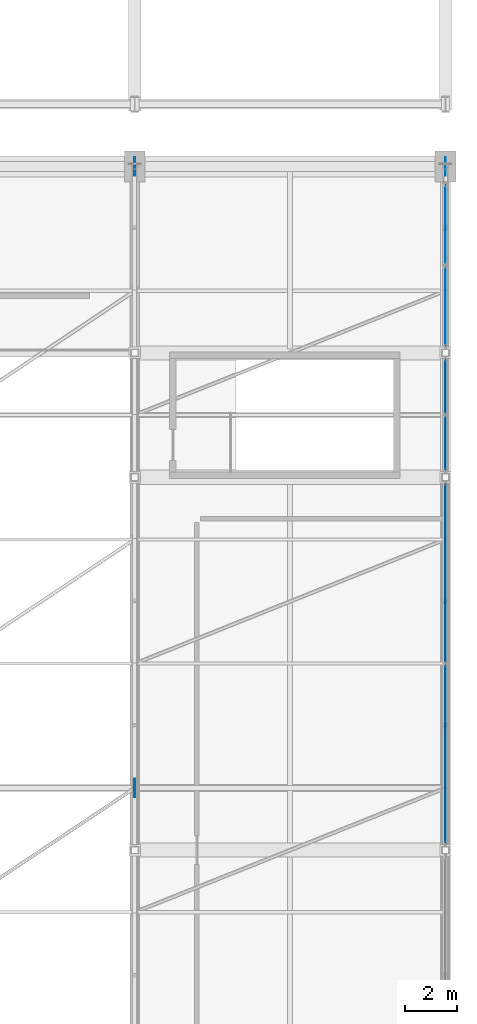
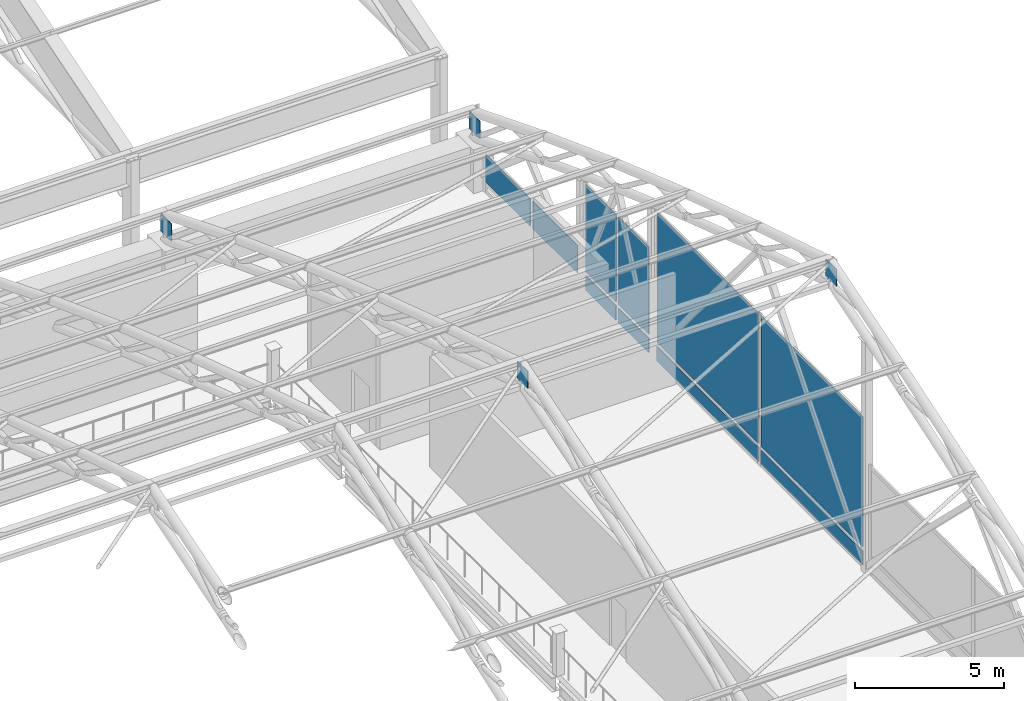
# One storey, part 70 of 116: 14 plates, 3 elements without a shape of their own.
"""IFC4 building model written with IfcOpenShell, lengths in metres."""

from ifc_helpers import new_model, si_unit, direction, frame, origin, origin_2d, place, context, subcontext, project, spatial, rectangle, extrude, material, layer, layer_set, type_object, element, aggregate, save


model = new_model("IFC4")

# Units and contexts
model_context = context("Model", 3, precision=1e-05, world=origin(), true_north=direction((0.0, 1.0)))
body_context = subcontext(model_context, "Body", "Model", "MODEL_VIEW")
ifc_project = project(units=[si_unit("LENGTHUNIT", "METRE"), si_unit("AREAUNIT", "SQUARE_METRE"), si_unit("VOLUMEUNIT", "CUBIC_METRE"), si_unit("PLANEANGLEUNIT", "RADIAN"), si_unit("MASSUNIT", "GRAM", prefix="KILO")], contexts=[model_context])

# Site, building, storey
site_placement = place(None, origin())
site = spatial("IfcSite", under=ifc_project, at=site_placement, CompositionType="ELEMENT")
building_placement = place(site_placement, origin())
building = spatial("IfcBuilding", under=site, at=building_placement, Name="Cendralis Lancet Convention Centre", CompositionType="ELEMENT")
storey_placement = place(building_placement, frame((0.0, 0.0, 15.0)))
storey = spatial("IfcBuildingStorey", under=building, at=storey_placement, Name="L03", CompositionType="ELEMENT", Elevation=15.0)

# Curtain wall, plates
ifc_material_1 = material(Name="Anodised bronze architectural aluminium", Category="aluminium")
curtain_wall_type = type_object("IfcCurtainWallType", Name="ARC-CW-PL02", PredefinedType="USERDEFINED", material=ifc_material_1)
curtain_wall_1_placement = place(storey_placement, origin())
curtain_wall_1 = element("IfcCurtainWall", 1, at=curtain_wall_1_placement, inside=storey, type_object=curtain_wall_type, Name="L03 Curtain Wall CW-PL2 #143", ObjectType="CURTAIN WALL", PredefinedType="USERDEFINED")
ifc_material_2 = material(Name="Double-glazed low-E solar-control glass", Category="glass")
ifc_layer_1 = layer(ifc_material_2, 0.035888671875, Name="Double-glazed low-E solar-control glass")
ifc_layer_set_1 = layer_set([ifc_layer_1], Name="Double-glazed low-E solar-control glass")
plate_type_1 = type_object("IfcPlateType", Name="ARC-PL-GL02", PredefinedType="CURTAIN_PANEL", material=ifc_layer_set_1)
plate_1_placement = place(storey_placement, frame((208.800048828125, 75.5, 0.830078125), z_axis=(0.0, 0.0, 1.0), x_axis=(0.0, -1.0, 0.0)))
plate_1 = element("IfcPlate", 2, at=plate_1_placement, type_object=plate_type_1, Name="Vision Glass Panel CW2-CW-PL2-L03-143-PG0", PredefinedType="CURTAIN_PANEL", context=body_context, shape_type="SweptSolid", body=[
    extrude(rectangle(XDim=6.840087890625, YDim=0.035888671875, at=origin_2d()), origin(), (0.0, 0.0, 1.0), 5.344970703125),
])
plate_2_placement = place(storey_placement, frame((208.800048828125, 68.5, 0.830078125), z_axis=(0.0, 0.0, 1.0), x_axis=(0.0, -1.0, 0.0)))
plate_2 = element("IfcPlate", 3, at=plate_2_placement, type_object=plate_type_1, Name="Vision Glass Panel CW2-CW-PL2-L03-143-PG1", PredefinedType="CURTAIN_PANEL", context=body_context, shape_type="SweptSolid", body=[
    extrude(rectangle(XDim=6.840087890625, YDim=0.035888671875, at=origin_2d()), origin(), (0.0, 0.0, 1.0), 5.344970703125),
])

curtain_wall_2_placement = place(storey_placement, origin())
curtain_wall_2 = element("IfcCurtainWall", 4, at=curtain_wall_2_placement, inside=storey, type_object=curtain_wall_type, Name="L03 Curtain Wall CW-PL2 #144", ObjectType="CURTAIN WALL", PredefinedType="USERDEFINED")
plate_3_placement = place(storey_placement, frame((208.800048828125, 82.699951171875, 0.830078125), z_axis=(0.0, 0.0, 1.0), x_axis=(0.0, -1.0, 0.0)))
plate_3 = element("IfcPlate", 5, at=plate_3_placement, type_object=plate_type_1, Name="Vision Glass Panel CW2-CW-PL2-L03-144-PG0", PredefinedType="CURTAIN_PANEL", context=body_context, shape_type="SweptSolid", body=[
    extrude(rectangle(XDim=2.0400390625, YDim=0.035888671875, at=origin_2d()), origin(), (0.0, 0.0, 1.0), 3.5869140625),
])
plate_4_placement = place(storey_placement, frame((208.800048828125, 80.5, 0.830078125), z_axis=(0.0, 0.0, 1.0), x_axis=(0.0, -1.0, 0.0)))
plate_4 = element("IfcPlate", 6, at=plate_4_placement, type_object=plate_type_1, Name="Vision Glass Panel CW2-CW-PL2-L03-144-PG1", PredefinedType="CURTAIN_PANEL", context=body_context, shape_type="SweptSolid", body=[
    extrude(rectangle(XDim=2.0400390625, YDim=0.035888671875, at=origin_2d()), origin(), (0.0, 0.0, 1.0), 3.5869140625),
])

curtain_wall_3_placement = place(storey_placement, origin())
curtain_wall_3 = element("IfcCurtainWall", 7, at=curtain_wall_3_placement, inside=storey, type_object=curtain_wall_type, Name="L03 Curtain Wall CW-PL2 #145", ObjectType="CURTAIN WALL", PredefinedType="USERDEFINED")
plate_5_placement = place(storey_placement, frame((208.800048828125, 88.96240234375, 0.443115234375), z_axis=(0.0, 0.0, 1.0), x_axis=(0.0, -1.0, 0.0)))
plate_5 = element("IfcPlate", 8, at=plate_5_placement, type_object=plate_type_1, Name="Vision Glass Panel CW2-CW-PL2-L03-145-PG0", PredefinedType="CURTAIN_PANEL", context=body_context, shape_type="SweptSolid", body=[
    extrude(rectangle(XDim=3.014892578125, YDim=0.035888671875, at=origin_2d()), origin(), (0.0, 0.0, 1.0), 1.126953125),
])
plate_6_placement = place(storey_placement, frame((208.800048828125, 85.78759765625, 0.443115234375), z_axis=(0.0, 0.0, 1.0), x_axis=(0.0, -1.0, 0.0)))
plate_6 = element("IfcPlate", 9, at=plate_6_placement, type_object=plate_type_1, Name="Vision Glass Panel CW2-CW-PL2-L03-145-PG1", PredefinedType="CURTAIN_PANEL", context=body_context, shape_type="SweptSolid", body=[
    extrude(rectangle(XDim=3.014892578125, YDim=0.035888671875, at=origin_2d()), origin(), (0.0, 0.0, 1.0), 1.126953125),
])
aggregate(curtain_wall_3, [plate_5, plate_6])

# Plate
ifc_material_3 = material(Name="Insulated ceramic-fritted spandrel glass", Category="glass")
ifc_layer_2 = layer(ifc_material_3, 0.044921875, Name="Insulated ceramic-fritted spandrel glass")
ifc_layer_set_2 = layer_set([ifc_layer_2], Name="Insulated ceramic-fritted spandrel glass")
plate_type_2 = type_object("IfcPlateType", Name="ARC-PL-SP01", PredefinedType="CURTAIN_PANEL", material=ifc_layer_set_2)
plate_7_placement = place(storey_placement, frame((208.800048828125, 75.5, 0.080078125), z_axis=(0.0, 0.0, 1.0), x_axis=(0.0, -1.0, 0.0)))
plate_7 = element("IfcPlate", 10, at=plate_7_placement, type_object=plate_type_2, Name="Spandrel Panel CW2-CW-PL2-L03-143-PS0", PredefinedType="CURTAIN_PANEL", context=body_context, shape_type="SweptSolid", body=[
    extrude(rectangle(XDim=6.840087890625, YDim=0.044921875, at=origin_2d()), origin(), (0.0, 0.0, 1.0), 0.590087890625),
])

plate_8_placement = place(storey_placement, frame((208.800048828125, 68.5, 0.080078125), z_axis=(0.0, 0.0, 1.0), x_axis=(0.0, -1.0, 0.0)))
plate_8 = element("IfcPlate", 11, at=plate_8_placement, type_object=plate_type_2, Name="Spandrel Panel CW2-CW-PL2-L03-143-PS1", PredefinedType="CURTAIN_PANEL", context=body_context, shape_type="SweptSolid", body=[
    extrude(rectangle(XDim=6.840087890625, YDim=0.044921875, at=origin_2d()), origin(), (0.0, 0.0, 1.0), 0.590087890625),
])

aggregate(curtain_wall_1, [plate_7, plate_1, plate_8, plate_2])

plate_9_placement = place(storey_placement, frame((208.800048828125, 82.699951171875, 0.080078125), z_axis=(0.0, 0.0, 1.0), x_axis=(0.0, -1.0, 0.0)))
plate_9 = element("IfcPlate", 12, at=plate_9_placement, type_object=plate_type_2, Name="Spandrel Panel CW2-CW-PL2-L03-144-PS0", PredefinedType="CURTAIN_PANEL", context=body_context, shape_type="SweptSolid", body=[
    extrude(rectangle(XDim=2.0400390625, YDim=0.044921875, at=origin_2d()), origin(), (0.0, 0.0, 1.0), 0.590087890625),
])

plate_10_placement = place(storey_placement, frame((208.800048828125, 80.5, 0.080078125), z_axis=(0.0, 0.0, 1.0), x_axis=(0.0, -1.0, 0.0)))
plate_10 = element("IfcPlate", 13, at=plate_10_placement, type_object=plate_type_2, Name="Spandrel Panel CW2-CW-PL2-L03-144-PS1", PredefinedType="CURTAIN_PANEL", context=body_context, shape_type="SweptSolid", body=[
    extrude(rectangle(XDim=2.0400390625, YDim=0.044921875, at=origin_2d()), origin(), (0.0, 0.0, 1.0), 0.590087890625),
])

aggregate(curtain_wall_2, [plate_9, plate_3, plate_10, plate_4])

# Plates
ifc_material_4 = material(Name="Steel S355", Category="steel")
ifc_layer_3 = layer(ifc_material_4, 0.028076171875, Name="Steel S355")
ifc_layer_set_3 = layer_set([ifc_layer_3], Name="Steel S355")
plate_type_3 = type_object("IfcPlateType", Name="STR-PL-GP28", PredefinedType="USERDEFINED", material=ifc_layer_set_3)
for number, where, z_axis, x_axis, name in (
    (14, (208.800048828125, 67.199951171875, 10.44921875), (0.0, 0.0, 1.0), (0.0, 1.0, 0.0), "Truss Gusset Plate GP-28 AT-V2-10-APEX"),
    (15, (208.800048828125, 91.199951171875, 1.96484375), (0.0, 0.0, 1.0), (0.0, 1.0, 0.0), "Truss Gusset Plate GP-28 AT-V2-10-SPR-N"),
):
    element("IfcPlate", number, at=place(storey_placement, frame(where, z_axis=z_axis, x_axis=x_axis)), inside=storey, type_object=plate_type_3, Name=name, ObjectType="GUSSET PLATE", PredefinedType="USERDEFINED", context=body_context, shape_type="SweptSolid", body=[
        extrude(rectangle(XDim=0.719970703125, YDim=0.028076171875, at=origin_2d()), origin(), (0.0, 0.0, 1.0), 0.719970703125),
    ])
ifc_layer_4 = layer(ifc_material_4, 0.028076171875, Name="Steel S355")
ifc_layer_set_4 = layer_set([ifc_layer_4], Name="Steel S355")
plate_type_4 = type_object("IfcPlateType", Name="STR-PL-GP28-INT", PredefinedType="USERDEFINED", material=ifc_layer_set_4)
for number, where, z_axis, x_axis, name in (
    (16, (196.800048828125, 67.199951171875, 10.44921875), (0.0, 0.0, 1.0), (0.0, 1.0, 0.0), "Truss Gusset Plate GP-28 AT-V2-09-APEX"),
    (17, (196.800048828125, 91.199951171875, 1.96484375), (0.0, 0.0, 1.0), (0.0, 1.0, 0.0), "Truss Gusset Plate GP-28 AT-V2-09-SPR-N"),
):
    element("IfcPlate", number, at=place(storey_placement, frame(where, z_axis=z_axis, x_axis=x_axis)), inside=storey, type_object=plate_type_4, Name=name, ObjectType="GUSSET PLATE", PredefinedType="USERDEFINED", context=body_context, shape_type="SweptSolid", body=[
        extrude(rectangle(XDim=0.719970703125, YDim=0.028076171875, at=origin_2d()), origin(), (0.0, 0.0, 1.0), 0.719970703125),
    ])

save(model, "model.ifc")
